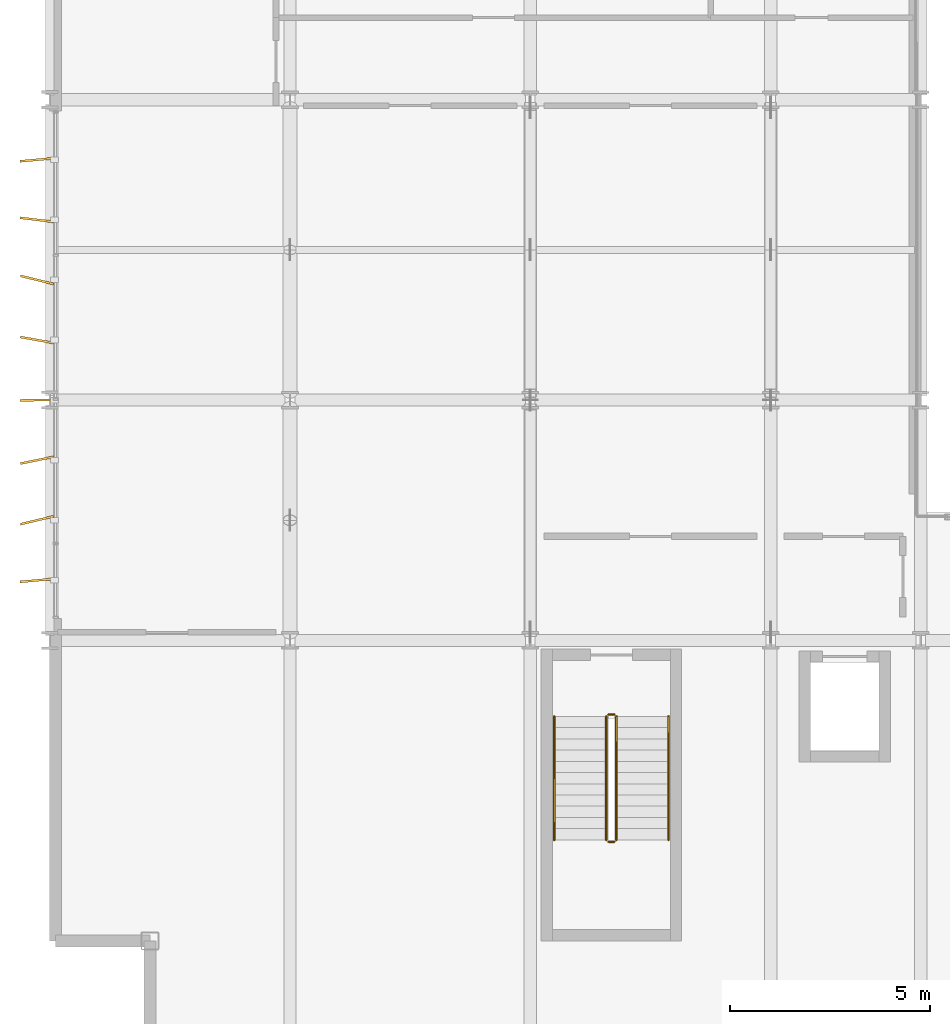
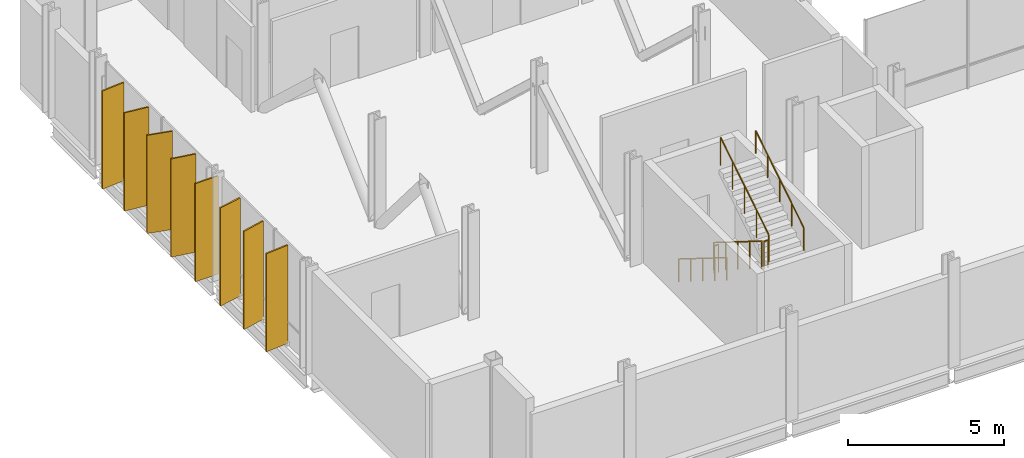
# One storey, part 30 of 32: 8 shading devices, 6 railings.
"""IFC4 building model written with IfcOpenShell, lengths in metres."""

from ifc_helpers import new_model, si_unit, direction, frame, origin, origin_2d, place, context, subcontext, project, spatial, rectangle, circle, extrude, material, layer, layer_set, type_object, element, save


model = new_model("IFC4")

# Units and contexts
model_context = context("Model", 3, precision=1e-05, world=origin(), true_north=direction((0.0, 1.0)))
body_context = subcontext(model_context, "Body", "Model", "MODEL_VIEW")
ifc_project = project(units=[si_unit("LENGTHUNIT", "METRE"), si_unit("AREAUNIT", "SQUARE_METRE"), si_unit("VOLUMEUNIT", "CUBIC_METRE"), si_unit("PLANEANGLEUNIT", "RADIAN"), si_unit("MASSUNIT", "GRAM", prefix="KILO")], contexts=[model_context])

# Site, building, storey
site_placement = place(None, origin())
site = spatial("IfcSite", under=ifc_project, at=site_placement, CompositionType="ELEMENT")
building_placement = place(site_placement, origin())
building = spatial("IfcBuilding", under=site, at=building_placement, Name="Brevholm Reach", CompositionType="ELEMENT")
storey_placement = place(building_placement, frame((0.0, 0.0, 96.199951171875)))
storey = spatial("IfcBuildingStorey", under=building, at=storey_placement, Name="L28", CompositionType="ELEMENT", Elevation=96.199951171875)

# Railings
ifc_material_1 = material(Name="Brushed Stainless Steel EN 1.4401 Continuous Handrail", Category="steel")
railing_type_1 = type_object("IfcRailingType", Name="RAL-HND-950", PredefinedType="HANDRAIL", material=ifc_material_1)
railing_1_placement = place(storey_placement, frame((12.60009765625, 8.10009765625, 0.175048828125)))
element("IfcRailing", 1, at=railing_1_placement, inside=storey, type_object=railing_type_1, Name="L28 ST-1 stair handrail 1", PredefinedType="HANDRAIL", context=body_context, shape_type="SweptSolid", body=[
    extrude(circle(Radius=0.02392578125, at=origin_2d()), frame((0.0, 0.0, 0.8857421875), z_axis=(0.0, -0.847998304005, 0.529998940003), x_axis=(1.0, 0.0, 0.0)), (0.0, 0.0, 1.0), 3.632080078125),
    extrude(circle(Radius=0.02099609375, at=origin_2d()), origin(), (0.0, 0.0, 1.0), 0.86181640625),
    extrude(circle(Radius=0.02099609375, at=origin_2d()), frame((0.0, -0.77001953125, 0.481201171875)), (0.0, 0.0, 1.0), 0.86181640625),
    extrude(circle(Radius=0.02099609375, at=origin_2d()), frame((0.0, -1.5400390625, 0.96240234375)), (0.0, 0.0, 1.0), 0.86181640625),
    extrude(circle(Radius=0.02099609375, at=origin_2d()), frame((0.0, -2.31005859375, 1.44384765625)), (0.0, 0.0, 1.0), 0.86181640625),
    extrude(circle(Radius=0.02099609375, at=origin_2d()), frame((0.0, -3.080078125, 1.925048828125)), (0.0, 0.0, 1.0), 0.86181640625),
])
railing_2_placement = place(storey_placement, frame((15.449951171875, 5.02001953125, 2.275146484375)))
element("IfcRailing", 2, at=railing_2_placement, inside=storey, type_object=railing_type_1, Name="L28 ST-1 stair handrail 2", PredefinedType="HANDRAIL", context=body_context, shape_type="SweptSolid", body=[
    extrude(circle(Radius=0.02392578125, at=origin_2d()), frame((0.0, 0.0, 0.8857421875), z_axis=(0.0, 0.848028513186, 0.529950602248), x_axis=(-1.0, 0.0, 0.0)), (0.0, 0.0, 1.0), 3.632080078125),
    extrude(circle(Radius=0.02099609375, at=origin_2d()), origin(), (0.0, 0.0, 1.0), 0.86181640625),
    extrude(circle(Radius=0.02099609375, at=origin_2d()), frame((0.0, 0.77001953125, 0.481201171875)), (0.0, 0.0, 1.0), 0.86181640625),
    extrude(circle(Radius=0.02099609375, at=origin_2d()), frame((0.0, 1.5400390625, 0.96240234375)), (0.0, 0.0, 1.0), 0.86181640625),
    extrude(circle(Radius=0.02099609375, at=origin_2d()), frame((0.0, 2.31005859375, 1.443603515625)), (0.0, 0.0, 1.0), 0.86181640625),
    extrude(circle(Radius=0.02099609375, at=origin_2d()), frame((0.0, 3.080078125, 1.9248046875)), (0.0, 0.0, 1.0), 0.86181640625),
])
ifc_material_2 = material(Name="Painted Tubular Galvanised Steel S275JR Stair Guard", Category="steel")
railing_type_2 = type_object("IfcRailingType", Name="RAL-STG-1120", PredefinedType="BALUSTRADE", material=ifc_material_2)
railing_3_placement = place(storey_placement, frame((13.89990234375, 8.10009765625, 0.175048828125)))
element("IfcRailing", 3, at=railing_3_placement, inside=storey, type_object=railing_type_2, Name="L28 ST-1 stair guard 1", PredefinedType="BALUSTRADE", context=body_context, shape_type="SweptSolid", body=[
    extrude(circle(Radius=0.02392578125, at=origin_2d()), frame((0.0, 0.0, 1.076171875), z_axis=(0.0, -0.847998304005, 0.529998940003), x_axis=(1.0, 0.0, 0.0)), (0.0, 0.0, 1.0), 3.632080078125),
    extrude(circle(Radius=0.02099609375, at=origin_2d()), origin(), (0.0, 0.0, 1.0), 1.052001953125),
    extrude(circle(Radius=0.02099609375, at=origin_2d()), frame((0.0, -0.77001953125, 0.481201171875)), (0.0, 0.0, 1.0), 1.052001953125),
    extrude(circle(Radius=0.02099609375, at=origin_2d()), frame((0.0, -1.5400390625, 0.96240234375)), (0.0, 0.0, 1.0), 1.052001953125),
    extrude(circle(Radius=0.02099609375, at=origin_2d()), frame((0.0, -2.31005859375, 1.44384765625)), (0.0, 0.0, 1.0), 1.052001953125),
    extrude(circle(Radius=0.02099609375, at=origin_2d()), frame((0.0, -3.080078125, 1.925048828125)), (0.0, 0.0, 1.0), 1.052001953125),
])
railing_4_placement = place(storey_placement, frame((13.949951171875, 4.969970703125, 2.10009765625)))
element("IfcRailing", 4, at=railing_4_placement, inside=storey, type_object=railing_type_2, Name="L28 ST-1 stair guard 2", PredefinedType="BALUSTRADE", context=body_context, shape_type="SweptSolid", body=[
    extrude(circle(Radius=0.02392578125, at=origin_2d()), frame((0.0, 0.0, 1.076171875), z_axis=(1.0, 0.0, 0.0), x_axis=(0.0, 1.0, 0.0)), (0.0, 0.0, 1.0), 0.150146484375),
    extrude(circle(Radius=0.02099609375, at=origin_2d()), origin(), (0.0, 0.0, 1.0), 1.052001953125),
    extrude(circle(Radius=0.02099609375, at=origin_2d()), frame((0.150146484375, 0.0, 0.0)), (0.0, 0.0, 1.0), 1.052001953125),
])
railing_5_placement = place(storey_placement, frame((14.14990234375, 5.02001953125, 2.275146484375)))
element("IfcRailing", 5, at=railing_5_placement, inside=storey, type_object=railing_type_2, Name="L28 ST-1 stair guard 3", PredefinedType="BALUSTRADE", context=body_context, shape_type="SweptSolid", body=[
    extrude(circle(Radius=0.02392578125, at=origin_2d()), frame((0.0, 0.0, 1.076171875), z_axis=(0.0, 0.848028513186, 0.529950602248), x_axis=(-1.0, 0.0, 0.0)), (0.0, 0.0, 1.0), 3.632080078125),
    extrude(circle(Radius=0.02099609375, at=origin_2d()), origin(), (0.0, 0.0, 1.0), 1.052001953125),
    extrude(circle(Radius=0.02099609375, at=origin_2d()), frame((0.0, 0.77001953125, 0.481201171875)), (0.0, 0.0, 1.0), 1.052001953125),
    extrude(circle(Radius=0.02099609375, at=origin_2d()), frame((0.0, 1.5400390625, 0.96240234375)), (0.0, 0.0, 1.0), 1.052001953125),
    extrude(circle(Radius=0.02099609375, at=origin_2d()), frame((0.0, 2.31005859375, 1.443603515625)), (0.0, 0.0, 1.0), 1.052001953125),
    extrude(circle(Radius=0.02099609375, at=origin_2d()), frame((0.0, 3.080078125, 1.9248046875)), (0.0, 0.0, 1.0), 1.052001953125),
])
railing_6_placement = place(storey_placement, frame((13.949951171875, 8.14990234375, 0.0)))
element("IfcRailing", 6, at=railing_6_placement, inside=storey, type_object=railing_type_2, Name="L28 ST-1 stair guard 4", PredefinedType="BALUSTRADE", context=body_context, shape_type="SweptSolid", body=[
    extrude(circle(Radius=0.02392578125, at=origin_2d()), frame((0.0, 0.0, 1.076171875), z_axis=(1.0, 0.0, 0.0), x_axis=(0.0, 1.0, 0.0)), (0.0, 0.0, 1.0), 0.150146484375),
    extrude(circle(Radius=0.02099609375, at=origin_2d()), origin(), (0.0, 0.0, 1.0), 1.052001953125),
    extrude(circle(Radius=0.02099609375, at=origin_2d()), frame((0.150146484375, 0.0, 0.0)), (0.0, 0.0, 1.0), 1.052001953125),
])

# Shading devices
ifc_material_3 = material(Name="Perforated Champagne-Bronze Anodised Aluminium", Category="aluminium")
ifc_layer = layer(ifc_material_3, 0.054931640625)
ifc_layer_set = layer_set([ifc_layer], Name="Perforated Champagne-Bronze Anodised Aluminium")
shading_device_type = type_object("IfcShadingDeviceType", Name="SHD-FIN-850", PredefinedType="USERDEFINED", material=ifc_layer_set)
for number, where, z_axis, x_axis, name in (
    (7, (-0.31494140625, 11.5, 0.06982421875), (0.0, 0.0, 1.0), (-0.995992823181, -0.089433193907, 0.0), "L28 Perforated Solar Screen Fin 1"),
    (8, (-0.31494140625, 13.0, 0.06982421875), (0.0, 0.0, 1.0), (-0.972844596377, -0.231459264884, 0.0), "L28 Perforated Solar Screen Fin 2"),
    (9, (-0.31494140625, 14.5, 0.06982421875), (0.0, 0.0, 1.0), (-0.979722384216, -0.200359801024, 0.0), "L28 Perforated Solar Screen Fin 3"),
    (10, (-0.31494140625, 16.0, 0.06982421875), (0.0, 0.0, 1.0), (-0.999838733628, -0.017958472575, 0.0), "L28 Perforated Solar Screen Fin 4"),
    (11, (-0.31494140625, 17.5, 0.06982421875), (0.0, 0.0, 1.0), (-0.983966074501, 0.178355723854, 0.0), "L28 Perforated Solar Screen Fin 5"),
    (12, (-0.31494140625, 19.0, 0.06982421875), (0.0, 0.0, 1.0), (-0.970963340321, 0.239228325565, 0.0), "L28 Perforated Solar Screen Fin 6"),
    (13, (-0.31494140625, 20.5, 0.06982421875), (0.0, 0.0, 1.0), (-0.992578022946, 0.121609491257, 0.0), "L28 Perforated Solar Screen Fin 7"),
    (14, (-0.31494140625, 22.0, 0.06982421875), (0.0, 0.0, 1.0), (-0.995992823181, -0.089433193907, 0.0), "L28 Perforated Solar Screen Fin 8"),
):
    element("IfcShadingDevice", number, at=place(storey_placement, frame(where, z_axis=z_axis, x_axis=x_axis)), inside=storey, type_object=shading_device_type, Name=name, ObjectType="SCREEN", PredefinedType="USERDEFINED", context=body_context, shape_type="SweptSolid", body=[
        extrude(rectangle(XDim=0.85009765625, YDim=0.054931640625, at=origin_2d()), origin(), (0.0, 0.0, 1.0), 3.840087890625),
    ])

save(model, "model.ifc")
